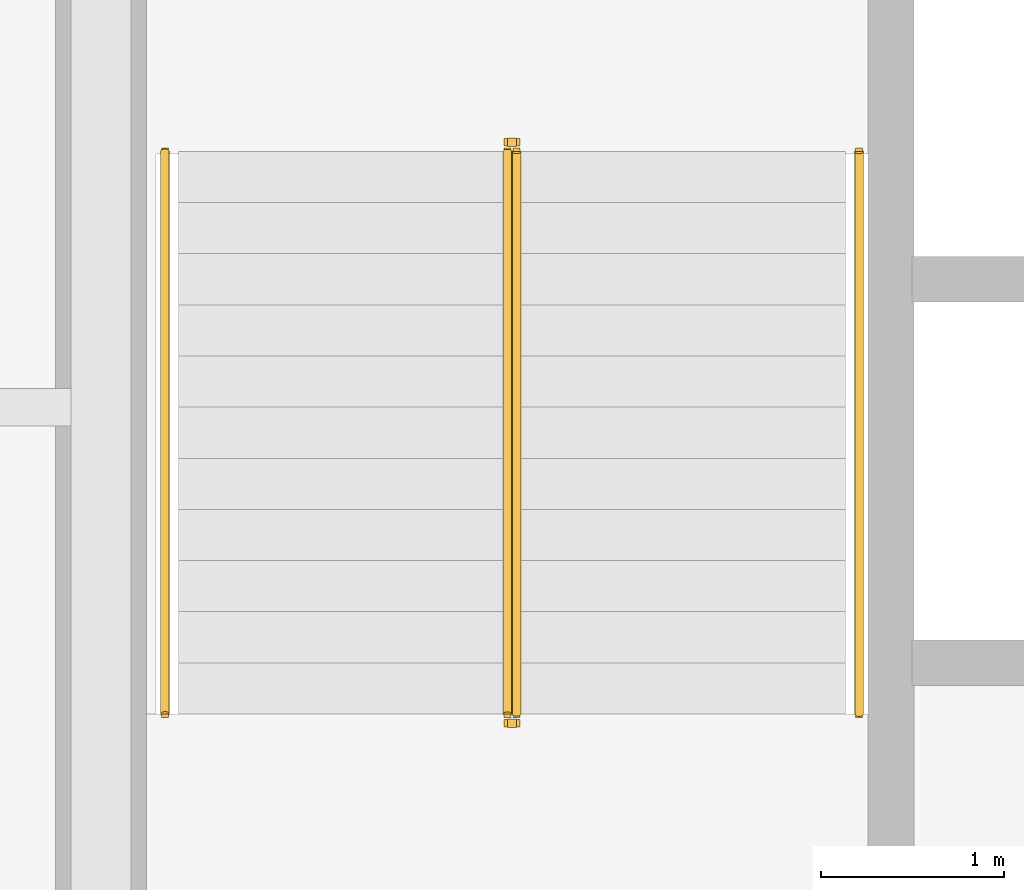
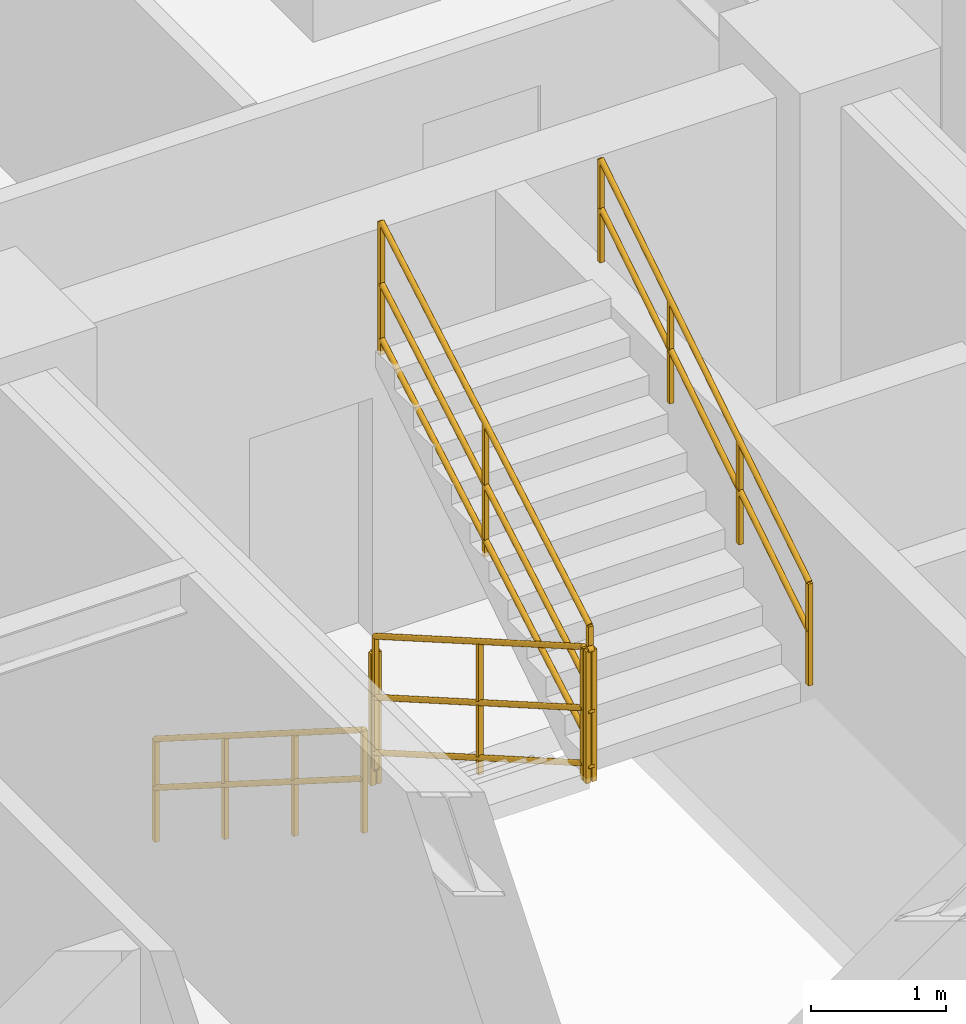
# One storey, part 9 of 9: 6 railings.
"""IFC4 building model written with IfcOpenShell, lengths in metres."""

from ifc_helpers import new_model, entity, si_unit, converted_unit, direction, frame, origin_with_axes, origin_2d_with_axis, place, context, subcontext, project, spatial, rectangle, circle, extrude, material, type_object, element, save


model = new_model("IFC4")

# Units and contexts
model_context = context("Model", 3, precision=1e-05, world=origin_with_axes(), true_north=direction((0.0, 1.0)))
body_context = subcontext(model_context, "Body", "Model", "MODEL_VIEW")
ifc_project = project(units=[si_unit("LENGTHUNIT", "METRE"), si_unit("AREAUNIT", "SQUARE_METRE"), si_unit("VOLUMEUNIT", "CUBIC_METRE"), converted_unit("PLANEANGLEUNIT", "DEGREE", entity("IfcPlaneAngleMeasure", 0.017453292519943295), si_unit("PLANEANGLEUNIT", "RADIAN"), dimensions=[0, 0, 0, 0, 0, 0, 0]), si_unit("MASSUNIT", "GRAM", prefix="KILO"), si_unit("THERMODYNAMICTEMPERATUREUNIT", "KELVIN")], contexts=[model_context])

# Site, building, storey
site_placement = place(None, origin_with_axes())
site = spatial("IfcSite", under=ifc_project, at=site_placement, CompositionType="ELEMENT")
building_placement = place(site_placement, origin_with_axes())
building = spatial("IfcBuilding", under=site, at=building_placement, Name="Varnlund Millrace Tower", CompositionType="ELEMENT")
storey_placement = place(building_placement, frame((0.0, 0.0, 112.5), z_axis=(0.0, 0.0, 1.0), x_axis=(1.0, 0.0, 0.0)))
storey = spatial("IfcBuildingStorey", under=building, at=storey_placement, Name="L27", CompositionType="ELEMENT", Elevation=112.5)

# Railings
ifc_material_1 = material(Name="Painted steel stair well balustrade guard", Category="steel")
railing_type_1 = type_object("IfcRailingType", Name="Type-StairGuard-1150", PredefinedType="GUARDRAIL", material=ifc_material_1)
railing_1_placement = place(storey_placement, frame((0.0, 0.0, -112.5), z_axis=(0.0, 0.0, 1.0), x_axis=(1.0, 0.0, 0.0)))
element("IfcRailing", 1, at=railing_1_placement, inside=storey, type_object=railing_type_1, Name="Type-StairGuard-1150", PredefinedType="GUARDRAIL", context=body_context, shape_type="SweptSolid", body=[
    extrude(circle(Radius=0.024, at=origin_2d_with_axis()), frame((13.625, 35.9, 113.827273), z_axis=(0.0, -0.866696, 0.498836), x_axis=(1.0, 0.0, 0.0)), (0.0, 0.0, 1.0), 3.553725),
    extrude(circle(Radius=0.024, at=origin_2d_with_axis()), frame((13.625, 35.9, 112.777273), z_axis=(0.0, -0.866696, 0.498836), x_axis=(1.0, 0.0, 0.0)), (0.0, 0.0, 1.0), 3.553725),
    extrude(circle(Radius=0.024, at=origin_2d_with_axis()), frame((13.625, 35.9, 113.275273), z_axis=(0.0, -0.866696, 0.498836), x_axis=(1.0, 0.0, 0.0)), (0.0, 0.0, 1.0), 3.553725),
    extrude(rectangle(XDim=0.04, YDim=0.04, at=origin_2d_with_axis()), frame((13.625, 35.9, 112.637273), z_axis=(0.0, 0.0, 1.0), x_axis=(1.0, 0.0, 0.0)), (0.0, 0.0, 1.0), 1.19),
    extrude(rectangle(XDim=0.04, YDim=0.04, at=origin_2d_with_axis()), frame((13.625, 34.36, 113.523636), z_axis=(0.0, 0.0, 1.0), x_axis=(1.0, 0.0, 0.0)), (0.0, 0.0, 1.0), 1.19),
    extrude(rectangle(XDim=0.04, YDim=0.04, at=origin_2d_with_axis()), frame((13.625, 32.82, 114.41), z_axis=(0.0, 0.0, 1.0), x_axis=(1.0, 0.0, 0.0)), (0.0, 0.0, 1.0), 1.19),
])
railing_2_placement = place(storey_placement, frame((0.0, 0.0, -112.5), z_axis=(0.0, 0.0, 1.0), x_axis=(1.0, 0.0, 0.0)))
element("IfcRailing", 2, at=railing_2_placement, inside=storey, type_object=railing_type_1, Name="Type-StairGuard-1150", PredefinedType="GUARDRAIL", context=body_context, shape_type="SweptSolid", body=[
    extrude(circle(Radius=0.024, at=origin_2d_with_axis()), frame((13.675, 32.77, 115.6), z_axis=(-1.0, 0.0, 0.0), x_axis=(0.0, -1.0, 0.0)), (0.0, 0.0, 1.0), 0.05),
    extrude(circle(Radius=0.024, at=origin_2d_with_axis()), frame((13.675, 32.77, 114.55), z_axis=(-1.0, 0.0, 0.0), x_axis=(0.0, -1.0, 0.0)), (0.0, 0.0, 1.0), 0.05),
    extrude(circle(Radius=0.024, at=origin_2d_with_axis()), frame((13.675, 32.77, 115.048), z_axis=(-1.0, 0.0, 0.0), x_axis=(0.0, -1.0, 0.0)), (0.0, 0.0, 1.0), 0.05),
    extrude(rectangle(XDim=0.04, YDim=0.04, at=origin_2d_with_axis()), frame((13.675, 32.77, 114.41), z_axis=(0.0, 0.0, 1.0), x_axis=(1.0, 0.0, 0.0)), (0.0, 0.0, 1.0), 1.19),
    extrude(rectangle(XDim=0.04, YDim=0.04, at=origin_2d_with_axis()), frame((13.625, 32.77, 114.41), z_axis=(0.0, 0.0, 1.0), x_axis=(1.0, 0.0, 0.0)), (0.0, 0.0, 1.0), 1.19),
])
railing_3_placement = place(storey_placement, frame((0.0, 0.0, -112.5), z_axis=(0.0, 0.0, 1.0), x_axis=(1.0, 0.0, 0.0)))
element("IfcRailing", 3, at=railing_3_placement, inside=storey, type_object=railing_type_1, Name="Type-StairGuard-1150", PredefinedType="GUARDRAIL", context=body_context, shape_type="SweptSolid", body=[
    extrude(circle(Radius=0.024, at=origin_2d_with_axis()), frame((13.675, 32.82, 115.777273), z_axis=(0.0, 0.866696, 0.498836), x_axis=(-1.0, 0.0, 0.0)), (0.0, 0.0, 1.0), 3.553725),
    extrude(circle(Radius=0.024, at=origin_2d_with_axis()), frame((13.675, 32.82, 114.727273), z_axis=(0.0, 0.866696, 0.498836), x_axis=(-1.0, 0.0, 0.0)), (0.0, 0.0, 1.0), 3.553725),
    extrude(circle(Radius=0.024, at=origin_2d_with_axis()), frame((13.675, 32.82, 115.225273), z_axis=(0.0, 0.866696, 0.498836), x_axis=(-1.0, 0.0, 0.0)), (0.0, 0.0, 1.0), 3.553725),
    extrude(rectangle(XDim=0.04, YDim=0.04, at=origin_2d_with_axis()), frame((13.675, 32.82, 114.587273), z_axis=(0.0, 0.0, 1.0), x_axis=(1.0, 0.0, 0.0)), (0.0, 0.0, 1.0), 1.19),
    extrude(rectangle(XDim=0.04, YDim=0.04, at=origin_2d_with_axis()), frame((13.675, 34.36, 115.473636), z_axis=(0.0, 0.0, 1.0), x_axis=(1.0, 0.0, 0.0)), (0.0, 0.0, 1.0), 1.19),
    extrude(rectangle(XDim=0.04, YDim=0.04, at=origin_2d_with_axis()), frame((13.675, 35.9, 116.36), z_axis=(0.0, 0.0, 1.0), x_axis=(1.0, 0.0, 0.0)), (0.0, 0.0, 1.0), 1.19),
])
railing_4_placement = place(storey_placement, frame((0.0, 0.0, -112.5), z_axis=(0.0, 0.0, 1.0), x_axis=(1.0, 0.0, 0.0)))
element("IfcRailing", 4, at=railing_4_placement, inside=storey, type_object=railing_type_1, Name="Type-StairGuard-1150", PredefinedType="GUARDRAIL", context=body_context, shape_type="SweptSolid", body=[
    extrude(circle(Radius=0.024, at=origin_2d_with_axis()), frame((13.675, 35.95, 113.65), z_axis=(-1.0, 0.0, 0.0), x_axis=(0.0, -1.0, 0.0)), (0.0, 0.0, 1.0), 0.05),
    extrude(circle(Radius=0.024, at=origin_2d_with_axis()), frame((13.675, 35.95, 112.6), z_axis=(-1.0, 0.0, 0.0), x_axis=(0.0, -1.0, 0.0)), (0.0, 0.0, 1.0), 0.05),
    extrude(circle(Radius=0.024, at=origin_2d_with_axis()), frame((13.675, 35.95, 113.098), z_axis=(-1.0, 0.0, 0.0), x_axis=(0.0, -1.0, 0.0)), (0.0, 0.0, 1.0), 0.05),
    extrude(rectangle(XDim=0.04, YDim=0.04, at=origin_2d_with_axis()), frame((13.675, 35.95, 112.46), z_axis=(0.0, 0.0, 1.0), x_axis=(1.0, 0.0, 0.0)), (0.0, 0.0, 1.0), 1.19),
    extrude(rectangle(XDim=0.04, YDim=0.04, at=origin_2d_with_axis()), frame((13.625, 35.95, 112.46), z_axis=(0.0, 0.0, 1.0), x_axis=(1.0, 0.0, 0.0)), (0.0, 0.0, 1.0), 1.19),
])
ifc_material_2 = material(Name="Brushed architectural bronze stair handrail", Category="aluminium")
railing_type_2 = type_object("IfcRailingType", Name="Type-StairHandrail-900", PredefinedType="HANDRAIL", material=ifc_material_2)
railing_5_placement = place(storey_placement, frame((0.0, 0.0, -112.5), z_axis=(0.0, 0.0, 1.0), x_axis=(1.0, 0.0, 0.0)))
element("IfcRailing", 5, at=railing_5_placement, inside=storey, type_object=railing_type_2, Name="Type-StairHandrail-900", PredefinedType="HANDRAIL", context=body_context, shape_type="SweptSolid", body=[
    extrude(circle(Radius=0.024, at=origin_2d_with_axis()), frame((11.75, 35.9, 113.556995), z_axis=(0.0, -0.844902, 0.534922), x_axis=(1.0, 0.0, 0.0)), (0.0, 0.0, 1.0), 3.645394),
    extrude(circle(Radius=0.024, at=origin_2d_with_axis()), frame((11.75, 35.9, 113.117134), z_axis=(0.0, -0.844902, 0.534922), x_axis=(1.0, 0.0, 0.0)), (0.0, 0.0, 1.0), 3.645394),
    extrude(rectangle(XDim=0.04, YDim=0.04, at=origin_2d_with_axis()), frame((11.75, 35.9, 112.637273), z_axis=(0.0, 0.0, 1.0), x_axis=(1.0, 0.0, 0.0)), (0.0, 0.0, 1.0), 0.919722),
    extrude(rectangle(XDim=0.04, YDim=0.04, at=origin_2d_with_axis()), frame((11.75, 34.873333, 113.287273), z_axis=(0.0, 0.0, 1.0), x_axis=(1.0, 0.0, 0.0)), (0.0, 0.0, 1.0), 0.919722),
    extrude(rectangle(XDim=0.04, YDim=0.04, at=origin_2d_with_axis()), frame((11.75, 33.846667, 113.937273), z_axis=(0.0, 0.0, 1.0), x_axis=(1.0, 0.0, 0.0)), (0.0, 0.0, 1.0), 0.919722),
    extrude(rectangle(XDim=0.04, YDim=0.04, at=origin_2d_with_axis()), frame((11.75, 32.82, 114.587273), z_axis=(0.0, 0.0, 1.0), x_axis=(1.0, 0.0, 0.0)), (0.0, 0.0, 1.0), 0.919722),
])
railing_6_placement = place(storey_placement, frame((0.0, 0.0, -112.5), z_axis=(0.0, 0.0, 1.0), x_axis=(1.0, 0.0, 0.0)))
element("IfcRailing", 6, at=railing_6_placement, inside=storey, type_object=railing_type_2, Name="Type-StairHandrail-900", PredefinedType="HANDRAIL", context=body_context, shape_type="SweptSolid", body=[
    extrude(circle(Radius=0.024, at=origin_2d_with_axis()), frame((15.55, 32.82, 115.506995), z_axis=(0.0, 0.844902, 0.534922), x_axis=(-1.0, 0.0, 0.0)), (0.0, 0.0, 1.0), 3.645394),
    extrude(circle(Radius=0.024, at=origin_2d_with_axis()), frame((15.55, 32.82, 115.067134), z_axis=(0.0, 0.844902, 0.534922), x_axis=(-1.0, 0.0, 0.0)), (0.0, 0.0, 1.0), 3.645394),
    extrude(rectangle(XDim=0.04, YDim=0.04, at=origin_2d_with_axis()), frame((15.55, 32.82, 114.587273), z_axis=(0.0, 0.0, 1.0), x_axis=(1.0, 0.0, 0.0)), (0.0, 0.0, 1.0), 0.919722),
    extrude(rectangle(XDim=0.04, YDim=0.04, at=origin_2d_with_axis()), frame((15.55, 33.846667, 115.237273), z_axis=(0.0, 0.0, 1.0), x_axis=(1.0, 0.0, 0.0)), (0.0, 0.0, 1.0), 0.919722),
    extrude(rectangle(XDim=0.04, YDim=0.04, at=origin_2d_with_axis()), frame((15.55, 34.873333, 115.887273), z_axis=(0.0, 0.0, 1.0), x_axis=(1.0, 0.0, 0.0)), (0.0, 0.0, 1.0), 0.919722),
    extrude(rectangle(XDim=0.04, YDim=0.04, at=origin_2d_with_axis()), frame((15.55, 35.9, 116.537273), z_axis=(0.0, 0.0, 1.0), x_axis=(1.0, 0.0, 0.0)), (0.0, 0.0, 1.0), 0.919722),
])

save(model, "model.ifc")
